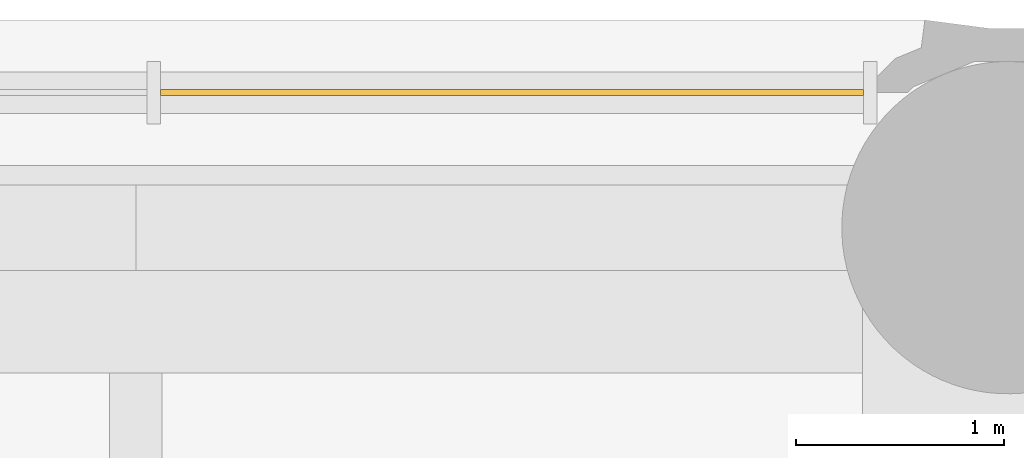
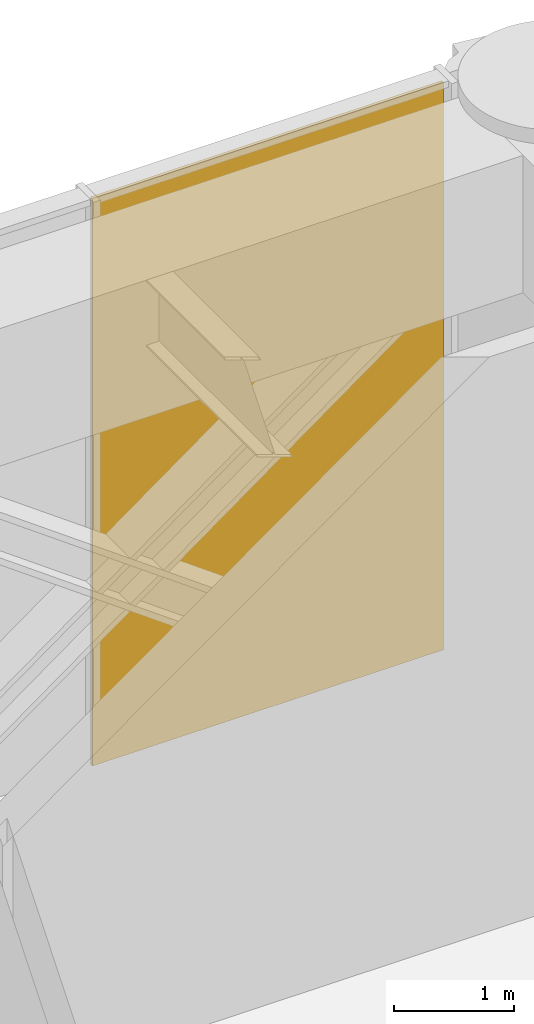
# One storey, part 12 of 12: 1 shading device, 1 element without a shape of its own.
"""IFC4 building model written with IfcOpenShell, lengths in metres."""

from ifc_helpers import new_model, si_unit, direction, frame, origin, origin_2d, place, context, subcontext, project, spatial, rectangle, extrude, material, layer, layer_set, type_object, element, aggregate, save


model = new_model("IFC4")

# Units and contexts
model_context = context("Model", 3, precision=1e-05, world=origin(), true_north=direction((0.0, 1.0)))
body_context = subcontext(model_context, "Body", "Model", "MODEL_VIEW")
ifc_project = project(units=[si_unit("LENGTHUNIT", "METRE"), si_unit("AREAUNIT", "SQUARE_METRE"), si_unit("VOLUMEUNIT", "CUBIC_METRE"), si_unit("PLANEANGLEUNIT", "RADIAN"), si_unit("MASSUNIT", "GRAM", prefix="KILO")], contexts=[model_context])

# Site, building, storey
site_placement = place(None, origin())
site = spatial("IfcSite", under=ifc_project, at=site_placement, CompositionType="ELEMENT")
building_placement = place(site_placement, origin())
building = spatial("IfcBuilding", under=site, at=building_placement, Name="Torre Alcanfor", CompositionType="ELEMENT")
storey_placement = place(building_placement, frame((0.0, 0.0, 248.10009765625)))
storey = spatial("IfcBuildingStorey", under=building, at=storey_placement, Name="L65", CompositionType="ELEMENT", Elevation=248.10009765625)

# Curtain wall, shading device
ifc_material_1 = material(Name="Aluminium and glass", Category="aluminium")
curtain_wall_type = type_object("IfcCurtainWallType", Name="CW-D plant floor louvre screen", PredefinedType="NOTDEFINED", material=ifc_material_1)
curtain_wall_placement = place(storey_placement, origin())
curtain_wall = element("IfcCurtainWall", 1, at=curtain_wall_placement, inside=storey, type_object=curtain_wall_type, Name="Curtain wall CW-D L65 11", PredefinedType="NOTDEFINED")
ifc_material_2 = material(Name="Aluminium louvre", Category="aluminium")
ifc_layer = layer(ifc_material_2, 0.028076171875)
ifc_layer_set = layer_set([ifc_layer], Name="CW-D aluminium louvre panel")
shading_device_type = type_object("IfcShadingDeviceType", Name="CW-D aluminium louvre panel", PredefinedType="SHUTTER", material=ifc_layer_set)
shading_device_placement = place(storey_placement, frame((39.61181640625, 51.050048828125, 0.0), z_axis=(0.0, 0.0, 1.0), x_axis=(-1.0, 0.0, 0.0)))
shading_device = element("IfcShadingDevice", 2, at=shading_device_placement, type_object=shading_device_type, Name="CW-D panel 1.1.1", PredefinedType="SHUTTER", context=body_context, shape_type="SweptSolid", body=[
    extrude(rectangle(XDim=3.384521484375, YDim=0.028076171875, at=origin_2d()), origin(), (0.0, 0.0, 1.0), 5.784912109375),
])
aggregate(curtain_wall, [shading_device])

save(model, "model.ifc")
